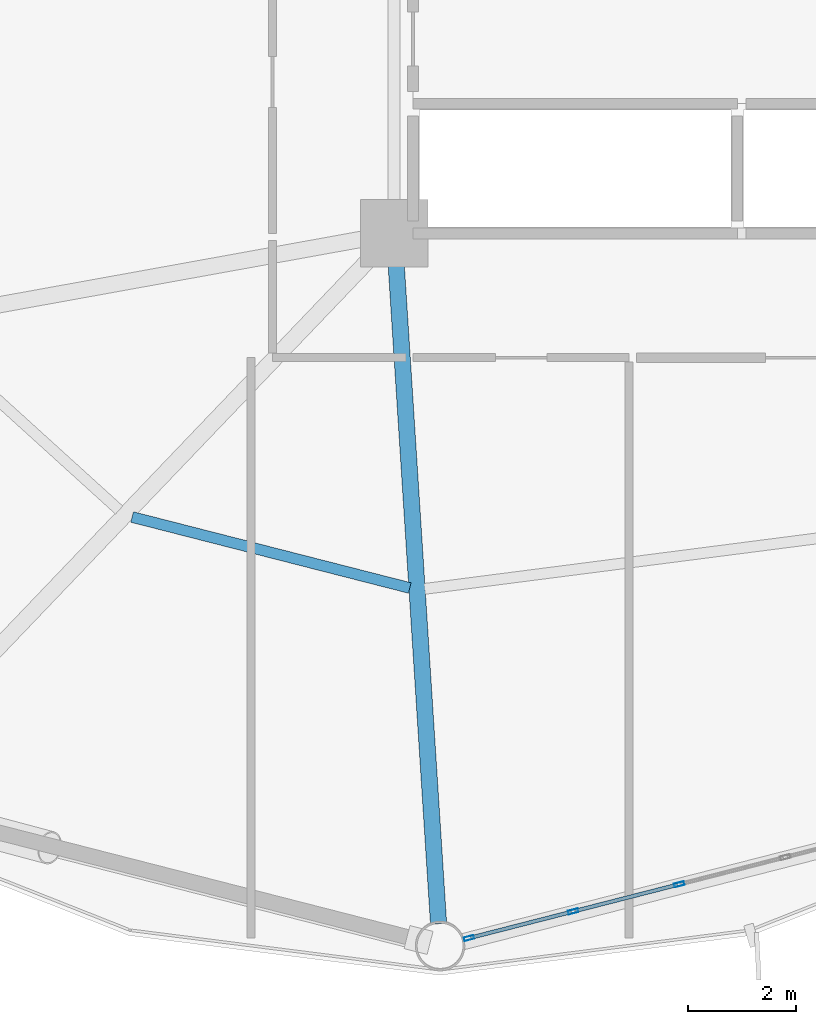
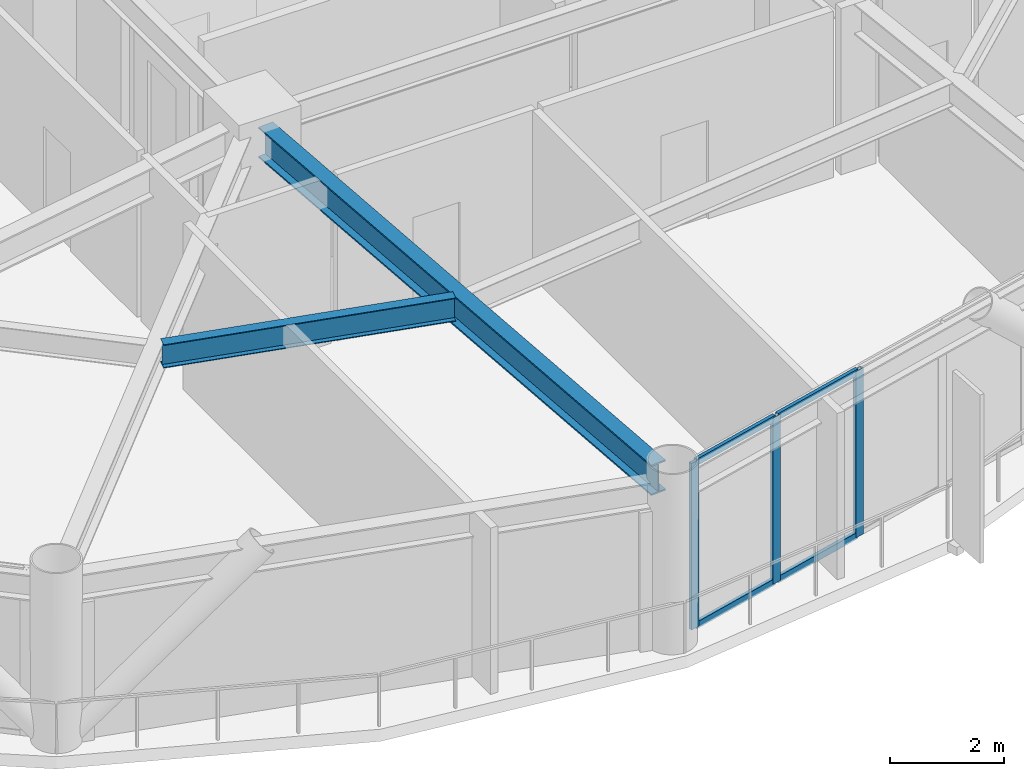
# One storey, part 5 of 25: 7 members, 2 beams, 1 element without a shape of its own.
"""IFC4 building model written with IfcOpenShell, lengths in metres."""

import ifcopenshell
import ifcopenshell.guid

model = None  # the IFC model being written
_history = None  # IfcOwnerHistory: only IFC2X3 demands one
_inside = {}  # id of a spatial element -> (the spatial element, [elements in it])
_under = {}  # id of a project, library or spatial element -> (it, [spatial elements below it])
_declared = {}  # id of a project -> (the project, [libraries it declares])
_typed = {}  # id of a type object -> (the type object, [elements of that type])
_made_of = {}  # id of a material, layer set ... -> (it, [elements and type objects made of it])


def new_model(schema):
    """Start an empty IFC model of exactly this schema.

    Asked for "IFC4X3", IfcOpenShell would pick the latest addendum, in which some entities
    have other attributes; the version numbers below select the first issue.
    IFC2X3 requires an IfcOwnerHistory on every rooted entity: one is made here for all.
    """
    global model, _history
    if schema == "IFC4X3":
        model = ifcopenshell.file(schema_version=(4, 3, 0, 0))
    else:
        model = ifcopenshell.file(schema=schema)
    _inside.clear()
    _under.clear()
    _declared.clear()
    _typed.clear()
    _made_of.clear()
    _history = None
    if model.schema == "IFC2X3":
        org = make("IfcOrganization", Name="unknown")
        user = make(
            "IfcPersonAndOrganization",
            ThePerson=make("IfcPerson", FamilyName="unknown"),
            TheOrganization=org,
        )
        app = make(
            "IfcApplication",
            ApplicationDeveloper=org,
            Version="unknown",
            ApplicationFullName="unknown",
            ApplicationIdentifier="unknown",
        )
        _history = make(
            "IfcOwnerHistory",
            OwningUser=user,
            OwningApplication=app,
            ChangeAction="ADDED",
            CreationDate=0,
        )
    return model


def make(cls, **values):
    """One entity of the class cls with the attributes given. An attribute that is None is left unset."""
    return model.create_entity(
        cls, **{name: value for name, value in values.items() if value is not None}
    )


def rooted(cls, **values):
    """An entity with a GlobalId (a new one), such as an element, a storey or a relation."""
    return make(cls, GlobalId=ifcopenshell.guid.new(), OwnerHistory=_history, **values)


def si_unit(unit_type, name, prefix=None):
    """IfcSIUnit, for example si_unit("LENGTHUNIT", "METRE", prefix="MILLI")."""
    return make("IfcSIUnit", UnitType=unit_type, Prefix=prefix, Name=name)


def assignment(units):
    """IfcUnitAssignment: the units of a project."""
    return None if units is None else make("IfcUnitAssignment", Units=units)


def point(xyz):
    """IfcCartesianPoint."""
    return None if xyz is None else make("IfcCartesianPoint", Coordinates=xyz)


def direction(xyz):
    """IfcDirection."""
    return None if xyz is None else make("IfcDirection", DirectionRatios=xyz)


def frame(location, z_axis=None, x_axis=None):
    """IfcAxis2Placement3D, a coordinate frame: its origin and axes. An axis left out is left unset."""
    return make(
        "IfcAxis2Placement3D",
        Location=point(location),
        Axis=direction(z_axis),
        RefDirection=direction(x_axis),
    )


def frame_2d(location, x_axis=None):
    """IfcAxis2Placement2D, a coordinate frame in the plane: its origin and x axis."""
    return make(
        "IfcAxis2Placement2D", Location=point(location), RefDirection=direction(x_axis)
    )


def origin():
    """The frame at (0, 0, 0) with its axes left unset."""
    return frame((0.0, 0.0, 0.0))


def origin_2d():
    """The frame at (0, 0) in the plane with its x axis left unset."""
    return frame_2d((0.0, 0.0))


def place(relative_to, where):
    """IfcLocalPlacement: puts the frame where relative to a parent placement (None: the world)."""
    return make(
        "IfcLocalPlacement", PlacementRelTo=relative_to, RelativePlacement=where
    )


def context(
    kind, dimensions, precision=None, world=None, true_north=None, identifier=None
):
    """IfcGeometricRepresentationContext, for example the 3D "Model" context."""
    return make(
        "IfcGeometricRepresentationContext",
        ContextIdentifier=identifier,
        ContextType=kind,
        CoordinateSpaceDimension=dimensions,
        Precision=precision,
        WorldCoordinateSystem=world,
        TrueNorth=true_north,
    )


def subcontext(parent, identifier, kind, view, scale=None):
    """IfcGeometricRepresentationSubContext, for example "Body" below "Model"."""
    return make(
        "IfcGeometricRepresentationSubContext",
        ContextIdentifier=identifier,
        ContextType=kind,
        ParentContext=parent,
        TargetScale=scale,
        TargetView=view,
    )


def project(units=None, contexts=None):
    """IfcProject with its units and contexts."""
    return rooted(
        "IfcProject",
        Name="project",
        RepresentationContexts=contexts,
        UnitsInContext=assignment(units),
    )


def spatial(cls, under=None, at=None, **own):
    """A site, building, storey or space (cls), placed at a placement, below another one or the project."""
    s = rooted(cls, ObjectPlacement=at, **own)
    if under is not None:
        _under.setdefault(under.id(), (under, []))[1].append(s)
    return s


def profile(cls, at=None, kind="AREA", **sizes):
    """A parametric profile (cls). Its sizes go by their IFC names, for example OverallWidth=200.0."""
    return make(cls, ProfileType=kind, Position=at, **sizes)


def hollow_rectangle(**sizes):
    """IfcRectangleHollowProfileDef."""
    return profile("IfcRectangleHollowProfileDef", **sizes)


def i_section(**sizes):
    """IfcIShapeProfileDef."""
    return profile("IfcIShapeProfileDef", **sizes)


def extrude(swept, where, along, depth):
    """IfcExtrudedAreaSolid: the profile swept, set in the frame where, extruded along a direction by depth."""
    return make(
        "IfcExtrudedAreaSolid",
        SweptArea=swept,
        Position=where,
        ExtrudedDirection=direction(along),
        Depth=depth,
    )


def shape(context_of_items, identifier, shape_type, items):
    """IfcShapeRepresentation: the items that make up one representation, for example the "Body"."""
    return make(
        "IfcShapeRepresentation",
        ContextOfItems=context_of_items,
        RepresentationIdentifier=identifier,
        RepresentationType=shape_type,
        Items=items,
    )


def material(Name=None, Category=None):
    """IfcMaterial."""
    return make("IfcMaterial", Name=Name, Category=Category)


def layer(
    of_material, thickness, ventilated=None, Name=None, Category=None, Priority=None
):
    """IfcMaterialLayer: one layer of a wall or slab, of a material (None: an air gap)."""
    return make(
        "IfcMaterialLayer",
        Material=of_material,
        LayerThickness=thickness,
        IsVentilated=ventilated,
        Name=Name,
        Category=Category,
        Priority=Priority,
    )


def layer_set(layers, Name=None):
    """IfcMaterialLayerSet."""
    return make("IfcMaterialLayerSet", MaterialLayers=layers, LayerSetName=Name)


def material_profile(
    of_material, cross_section, Name=None, Category=None, Priority=None
):
    """IfcMaterialProfile: a cross section and its material."""
    return make(
        "IfcMaterialProfile",
        Name=Name,
        Material=of_material,
        Profile=cross_section,
        Priority=Priority,
        Category=Category,
    )


def profile_set(profiles, Name=None, composite=None):
    """IfcMaterialProfileSet."""
    return make(
        "IfcMaterialProfileSet",
        Name=Name,
        MaterialProfiles=profiles,
        CompositeProfile=composite,
    )


def made_of(thing, what):
    """Note that an element or type object is made of a material, layer set ...; save() writes the relation."""
    if what is not None:
        _made_of.setdefault(what.id(), (what, []))[1].append(thing)
    return thing


def type_object(cls, material=None, **own):
    """A type object (cls), such as IfcWallType, which elements share."""
    return made_of(rooted(cls, **own), material)


def element(
    cls,
    number,
    at=None,
    inside=None,
    cuts=None,
    type_object=None,
    material=None,
    context=None,
    identifier="Body",
    shape_type=None,
    held_by="IfcProductDefinitionShape",
    body=None,
    shapes=None,
    **own,
):
    """One element of the class cls, such as IfcWall. Its Tag is "e" and its number.

    at: its placement. inside: the storey or other place that contains it. cuts: it is an
    opening in that element (IfcRelVoidsElement). A single representation is given by context,
    identifier, shape_type and body (its items); several are given by shapes. held_by: the class
    of the entity that holds the representations. save() writes the other relations.
    """
    e = rooted(cls, Tag="e%d" % number, ObjectPlacement=at, **own)
    if body is not None:
        shapes = [shape(context, identifier, shape_type, body)]
    if shapes is not None:
        e.Representation = make(held_by, Representations=shapes)
    if inside is not None:
        _inside.setdefault(inside.id(), (inside, []))[1].append(e)
    if cuts is not None:
        rooted(
            "IfcRelVoidsElement", RelatingBuildingElement=cuts, RelatedOpeningElement=e
        )
    if type_object is not None:
        _typed.setdefault(type_object.id(), (type_object, []))[1].append(e)
    return made_of(e, material)


def aggregate(whole, parts):
    """IfcRelAggregates: a whole, such as a stair, and the parts it consists of."""
    return rooted("IfcRelAggregates", RelatingObject=whole, RelatedObjects=parts)


def save(model, path):
    """Write the relations noted so far, then the file.

    IfcRelAggregates (storeys below a building ...), IfcRelContainedInSpatialStructure (elements
    in a storey), IfcRelDefinesByType, IfcRelAssociatesMaterial and IfcRelDeclares: one each for
    every whole, place, type object, material and project.
    """
    for whole, parts in _under.values():
        aggregate(whole, parts)
    for where, things in _inside.values():
        rooted(
            "IfcRelContainedInSpatialStructure",
            RelatedElements=things,
            RelatingStructure=where,
        )
    for kind, things in _typed.values():
        rooted("IfcRelDefinesByType", RelatedObjects=things, RelatingType=kind)
    for what, things in _made_of.values():
        rooted("IfcRelAssociatesMaterial", RelatedObjects=things, RelatingMaterial=what)
    for by, libraries in _declared.values():
        rooted("IfcRelDeclares", RelatingContext=by, RelatedDefinitions=libraries)
    model.write(path)


model = new_model("IFC4")

# Units and contexts
model_context = context("Model", 3, precision=1e-05, world=origin(), true_north=direction((0.0, 1.0)))
body_context = subcontext(model_context, "Body", "Model", "MODEL_VIEW")
ifc_project = project(units=[si_unit("LENGTHUNIT", "METRE"), si_unit("AREAUNIT", "SQUARE_METRE"), si_unit("VOLUMEUNIT", "CUBIC_METRE"), si_unit("PLANEANGLEUNIT", "RADIAN"), si_unit("MASSUNIT", "GRAM", prefix="KILO")], contexts=[model_context])

# Site, building, storey
site_placement = place(None, origin())
site = spatial("IfcSite", under=ifc_project, at=site_placement, CompositionType="ELEMENT")
building_placement = place(site_placement, origin())
building = spatial("IfcBuilding", under=site, at=building_placement, Name="Varnakorn Sky Granary", CompositionType="ELEMENT")
storey_placement = place(building_placement, frame((0.0, 0.0, 74.39990234375)))
storey = spatial("IfcBuildingStorey", under=building, at=storey_placement, Name="L18", CompositionType="ELEMENT", Elevation=74.39990234375)

# Beams
ifc_material_1 = material(Name="Steel S355JR", Category="steel")
ifc_material_profile_1 = material_profile(ifc_material_1, i_section(OverallWidth=0.300048828125, OverallDepth=0.64990234375, WebThickness=0.01611328125, FlangeThickness=0.031005859375, at=origin_2d()), Name="HE 650 B")
ifc_profile_set_1 = profile_set([ifc_material_profile_1], Name="Steel S355JR")
beam_type_1 = type_object("IfcBeamType", Name="BM-RAD-Z1", PredefinedType="BEAM", material=ifc_profile_set_1)
beam_1_placement = place(storey_placement, frame((-2.322998046875, -7.01904296875, 3.22509765625), z_axis=(0.064167592926, -0.99793913643, 0.0), x_axis=(0.99793913643, 0.064167592926, 0.0)))
element("IfcBeam", 1, at=beam_1_placement, inside=storey, type_object=beam_type_1, Name="Radial Floor Girder RG10 L18", PredefinedType="BEAM", context=body_context, shape_type="SweptSolid", body=[
    extrude(i_section(OverallWidth=0.300048828125, OverallDepth=0.64990234375, WebThickness=0.01611328125, FlangeThickness=0.031005859375, at=origin_2d()), origin(), (0.0, 0.0, 1.0), 12.384521484375),
])
ifc_material_profile_2 = material_profile(ifc_material_1, i_section(OverallWidth=0.199951171875, OverallDepth=0.5, WebThickness=0.01025390625, FlangeThickness=0.01611328125, at=origin_2d()), Name="IPE 500")
ifc_profile_set_2 = profile_set([ifc_material_profile_2], Name="Steel S355JR")
beam_type_2 = type_object("IfcBeamType", Name="BM-SEC-Z1", PredefinedType="BEAM", material=ifc_profile_set_2)
beam_2_placement = place(storey_placement, frame((-7.20068359375, -11.85009765625, 3.300048828125), z_axis=(0.968848431494, -0.247654430187, 0.0), x_axis=(0.247654430187, 0.968848431494, 0.0)))
element("IfcBeam", 2, at=beam_2_placement, inside=storey, type_object=beam_type_2, Name="Secondary Floor Chord Beam MSB09 L18", PredefinedType="BEAM", context=body_context, shape_type="SweptSolid", body=[
    extrude(i_section(OverallWidth=0.199951171875, OverallDepth=0.5, WebThickness=0.01025390625, FlangeThickness=0.01611328125, at=origin_2d()), origin(), (0.0, 0.0, 1.0), 5.3046875),
])

# Curtain wall, members
ifc_material_2 = material(Name="Anodised Bronze Aluminium Alloy 6063-T6", Category="aluminium")
ifc_layer = layer(ifc_material_2, 0.18994140625, Name="Anodised Bronze Aluminium Alloy 6063-T6")
ifc_layer_set = layer_set([ifc_layer], Name="Anodised Bronze Aluminium Alloy 6063-T6")
curtain_wall_type = type_object("IfcCurtainWallType", Name="CW-FRM-1", PredefinedType="USERDEFINED", material=ifc_layer_set)
curtain_wall_placement = place(storey_placement, origin())
curtain_wall = element("IfcCurtainWall", 3, at=curtain_wall_placement, inside=storey, type_object=curtain_wall_type, Name="Unitised Curtain Wall CW3 CW-L18-B10", ObjectType="CURTAIN WALL", PredefinedType="USERDEFINED")
ifc_material_profile_3 = material_profile(ifc_material_2, hollow_rectangle(XDim=0.070068359375, YDim=0.18505859375, WallThickness=0.00390625, at=origin_2d()), Name="ALU MULL 70x185")
ifc_profile_set_3 = profile_set([ifc_material_profile_3], Name="Anodised Bronze Aluminium Alloy 6063-T6")
member_type_1 = type_object("IfcMemberType", Name="CW-FRM-1-MULL", PredefinedType="MULLION", material=ifc_profile_set_3)
member_1_placement = place(storey_placement, frame((2.925537109375, -18.6484375, 0.0), z_axis=(0.0, 0.0, 1.0), x_axis=(0.247900922341, -0.968785390426, 0.0)))
member_1 = element("IfcMember", 4, at=member_1_placement, type_object=member_type_1, Name="CW3 mullion 4", PredefinedType="MULLION", context=body_context, shape_type="SweptSolid", body=[
    extrude(hollow_rectangle(XDim=0.070068359375, YDim=0.18505859375, WallThickness=0.00390625, at=origin_2d()), origin(), (0.0, 0.0, 1.0), 3.550048828125),
])
member_2_placement = place(storey_placement, frame((0.963134765625, -19.150634765625, 0.0), z_axis=(0.0, 0.0, 1.0), x_axis=(0.247900922341, -0.968785390426, 0.0)))
member_2 = element("IfcMember", 5, at=member_2_placement, type_object=member_type_1, Name="CW3 mullion 5", PredefinedType="MULLION", context=body_context, shape_type="SweptSolid", body=[
    extrude(hollow_rectangle(XDim=0.070068359375, YDim=0.18505859375, WallThickness=0.00390625, at=origin_2d()), origin(), (0.0, 0.0, 1.0), 3.550048828125),
])
member_3_placement = place(storey_placement, frame((-0.965087890625, -19.64404296875, 0.0), z_axis=(0.0, 0.0, 1.0), x_axis=(0.247900922341, -0.968785390426, 0.0)))
member_3 = element("IfcMember", 6, at=member_3_placement, type_object=member_type_1, Name="CW3 mullion 6", PredefinedType="MULLION", context=body_context, shape_type="SweptSolid", body=[
    extrude(hollow_rectangle(XDim=0.070068359375, YDim=0.18505859375, WallThickness=0.00390625, at=origin_2d()), origin(), (0.0, 0.0, 1.0), 3.550048828125),
])
ifc_material_profile_4 = material_profile(ifc_material_2, hollow_rectangle(XDim=0.070068359375, YDim=0.139892578125, WallThickness=0.00341796875, at=origin_2d()), Name="ALU TRAN 70x140")
ifc_profile_set_4 = profile_set([ifc_material_profile_4], Name="Anodised Bronze Aluminium Alloy 6063-T6")
member_type_2 = type_object("IfcMemberType", Name="CW-FRM-1-TRAN", PredefinedType="USERDEFINED", material=ifc_profile_set_4)
member_4_placement = place(storey_placement, frame((2.8916015625, -18.6572265625, 0.03515625), z_axis=(-0.968776209563, -0.247936797963, 0.0), x_axis=(0.247936797963, -0.968776209563, 0.0)))
member_4 = element("IfcMember", 7, at=member_4_placement, type_object=member_type_2, Name="CW3 transom 4.1", ObjectType="TRANSOM", PredefinedType="USERDEFINED", context=body_context, shape_type="SweptSolid", body=[
    extrude(hollow_rectangle(XDim=0.070068359375, YDim=0.139892578125, WallThickness=0.00341796875, at=origin_2d()), origin(), (0.0, 0.0, 1.0), 1.95556640625),
])
member_5_placement = place(storey_placement, frame((2.8916015625, -18.6572265625, 3.51513671875), z_axis=(-0.968776209563, -0.247936797963, 0.0), x_axis=(0.247936797963, -0.968776209563, 0.0)))
member_5 = element("IfcMember", 8, at=member_5_placement, type_object=member_type_2, Name="CW3 transom 4.2", ObjectType="TRANSOM", PredefinedType="USERDEFINED", context=body_context, shape_type="SweptSolid", body=[
    extrude(hollow_rectangle(XDim=0.070068359375, YDim=0.139892578125, WallThickness=0.00341796875, at=origin_2d()), origin(), (0.0, 0.0, 1.0), 1.95556640625),
])
member_6_placement = place(storey_placement, frame((0.929443359375, -19.159423828125, 0.03515625), z_axis=(-0.968797026421, -0.247855444965, 0.0), x_axis=(0.247855444965, -0.968797026421, 0.0)))
member_6 = element("IfcMember", 9, at=member_6_placement, type_object=member_type_2, Name="CW3 transom 5.1", ObjectType="TRANSOM", PredefinedType="USERDEFINED", context=body_context, shape_type="SweptSolid", body=[
    extrude(hollow_rectangle(XDim=0.070068359375, YDim=0.139892578125, WallThickness=0.00341796875, at=origin_2d()), origin(), (0.0, 0.0, 1.0), 1.920654296875),
])
member_7_placement = place(storey_placement, frame((0.929443359375, -19.159423828125, 3.51513671875), z_axis=(-0.968797026421, -0.247855444965, 0.0), x_axis=(0.247855444965, -0.968797026421, 0.0)))
member_7 = element("IfcMember", 10, at=member_7_placement, type_object=member_type_2, Name="CW3 transom 5.2", ObjectType="TRANSOM", PredefinedType="USERDEFINED", context=body_context, shape_type="SweptSolid", body=[
    extrude(hollow_rectangle(XDim=0.070068359375, YDim=0.139892578125, WallThickness=0.00341796875, at=origin_2d()), origin(), (0.0, 0.0, 1.0), 1.920654296875),
])
aggregate(curtain_wall, [member_1, member_2, member_3, member_4, member_5, member_6, member_7])

save(model, "model.ifc")
